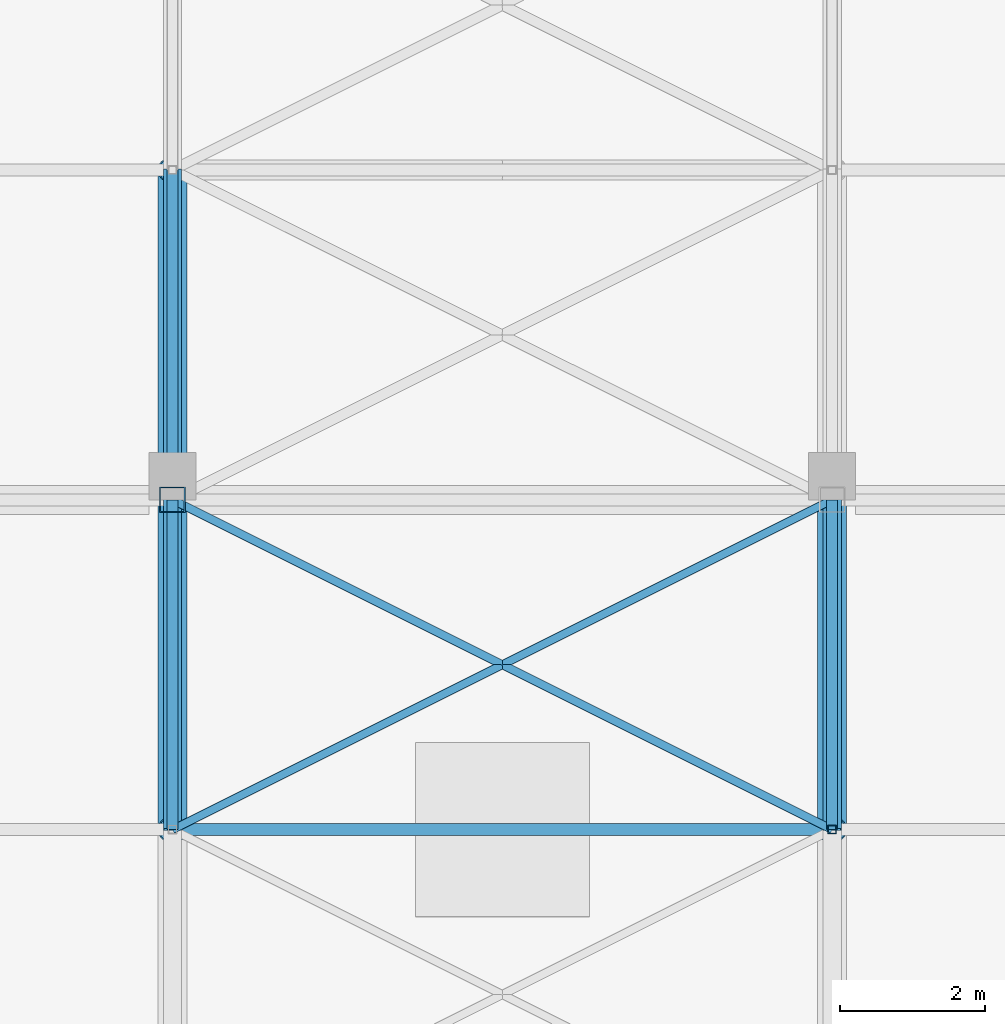
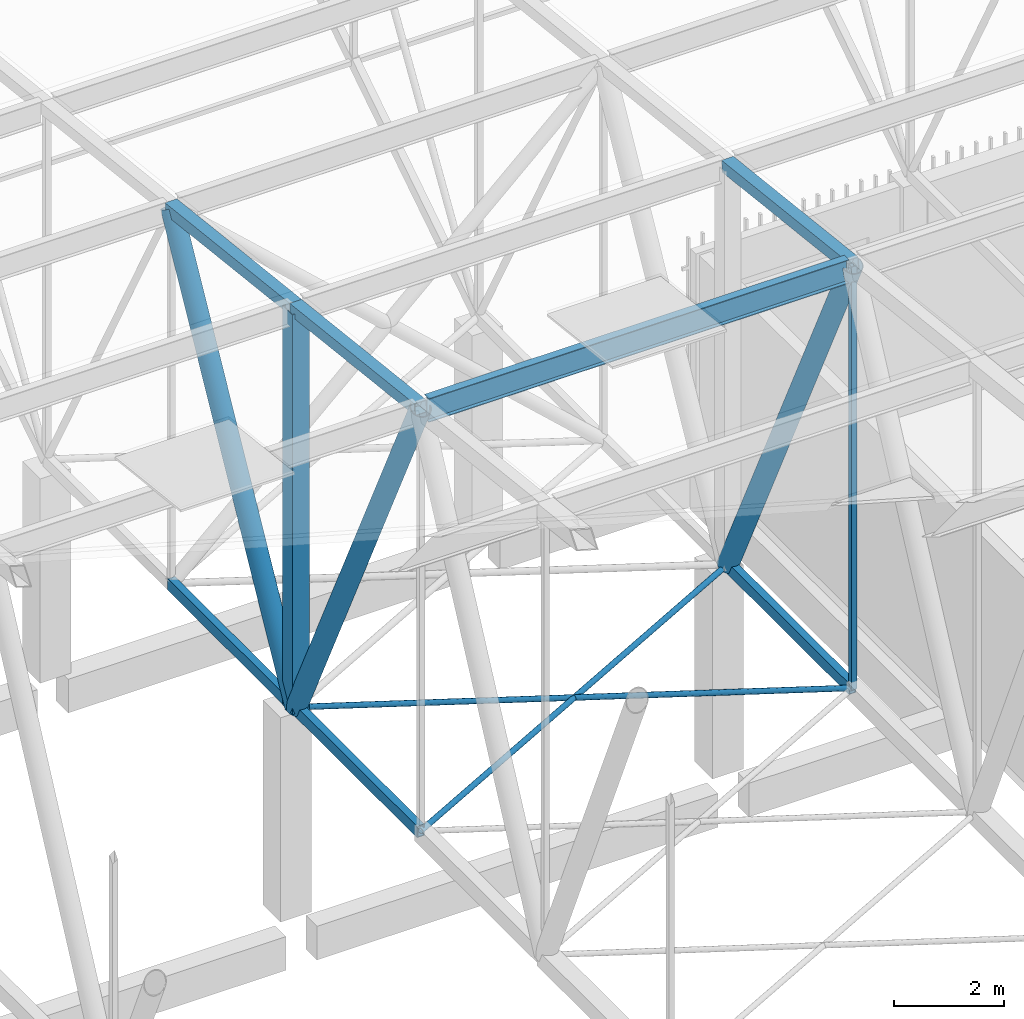
# One storey, part 312 of 500: 14 members.
"""IFC4 building model written with IfcOpenShell, lengths in metres."""

import ifcopenshell
import ifcopenshell.guid

model = None  # the IFC model being written
_history = None  # IfcOwnerHistory: only IFC2X3 demands one
_inside = {}  # id of a spatial element -> (the spatial element, [elements in it])
_under = {}  # id of a project, library or spatial element -> (it, [spatial elements below it])
_declared = {}  # id of a project -> (the project, [libraries it declares])
_typed = {}  # id of a type object -> (the type object, [elements of that type])
_made_of = {}  # id of a material, layer set ... -> (it, [elements and type objects made of it])


def new_model(schema):
    """Start an empty IFC model of exactly this schema.

    Asked for "IFC4X3", IfcOpenShell would pick the latest addendum, in which some entities
    have other attributes; the version numbers below select the first issue.
    IFC2X3 requires an IfcOwnerHistory on every rooted entity: one is made here for all.
    """
    global model, _history
    if schema == "IFC4X3":
        model = ifcopenshell.file(schema_version=(4, 3, 0, 0))
    else:
        model = ifcopenshell.file(schema=schema)
    _inside.clear()
    _under.clear()
    _declared.clear()
    _typed.clear()
    _made_of.clear()
    _history = None
    if model.schema == "IFC2X3":
        org = make("IfcOrganization", Name="unknown")
        user = make(
            "IfcPersonAndOrganization",
            ThePerson=make("IfcPerson", FamilyName="unknown"),
            TheOrganization=org,
        )
        app = make(
            "IfcApplication",
            ApplicationDeveloper=org,
            Version="unknown",
            ApplicationFullName="unknown",
            ApplicationIdentifier="unknown",
        )
        _history = make(
            "IfcOwnerHistory",
            OwningUser=user,
            OwningApplication=app,
            ChangeAction="ADDED",
            CreationDate=0,
        )
    return model


def make(cls, **values):
    """One entity of the class cls with the attributes given. An attribute that is None is left unset."""
    return model.create_entity(
        cls, **{name: value for name, value in values.items() if value is not None}
    )


def rooted(cls, **values):
    """An entity with a GlobalId (a new one), such as an element, a storey or a relation."""
    return make(cls, GlobalId=ifcopenshell.guid.new(), OwnerHistory=_history, **values)


def si_unit(unit_type, name, prefix=None):
    """IfcSIUnit, for example si_unit("LENGTHUNIT", "METRE", prefix="MILLI")."""
    return make("IfcSIUnit", UnitType=unit_type, Prefix=prefix, Name=name)


def assignment(units):
    """IfcUnitAssignment: the units of a project."""
    return None if units is None else make("IfcUnitAssignment", Units=units)


def point(xyz):
    """IfcCartesianPoint."""
    return None if xyz is None else make("IfcCartesianPoint", Coordinates=xyz)


def direction(xyz):
    """IfcDirection."""
    return None if xyz is None else make("IfcDirection", DirectionRatios=xyz)


def frame(location, z_axis=None, x_axis=None):
    """IfcAxis2Placement3D, a coordinate frame: its origin and axes. An axis left out is left unset."""
    return make(
        "IfcAxis2Placement3D",
        Location=point(location),
        Axis=direction(z_axis),
        RefDirection=direction(x_axis),
    )


def frame_2d(location, x_axis=None):
    """IfcAxis2Placement2D, a coordinate frame in the plane: its origin and x axis."""
    return make(
        "IfcAxis2Placement2D", Location=point(location), RefDirection=direction(x_axis)
    )


def origin():
    """The frame at (0, 0, 0) with its axes left unset."""
    return frame((0.0, 0.0, 0.0))


def origin_2d():
    """The frame at (0, 0) in the plane with its x axis left unset."""
    return frame_2d((0.0, 0.0))


def place(relative_to, where):
    """IfcLocalPlacement: puts the frame where relative to a parent placement (None: the world)."""
    return make(
        "IfcLocalPlacement", PlacementRelTo=relative_to, RelativePlacement=where
    )


def context(
    kind, dimensions, precision=None, world=None, true_north=None, identifier=None
):
    """IfcGeometricRepresentationContext, for example the 3D "Model" context."""
    return make(
        "IfcGeometricRepresentationContext",
        ContextIdentifier=identifier,
        ContextType=kind,
        CoordinateSpaceDimension=dimensions,
        Precision=precision,
        WorldCoordinateSystem=world,
        TrueNorth=true_north,
    )


def subcontext(parent, identifier, kind, view, scale=None):
    """IfcGeometricRepresentationSubContext, for example "Body" below "Model"."""
    return make(
        "IfcGeometricRepresentationSubContext",
        ContextIdentifier=identifier,
        ContextType=kind,
        ParentContext=parent,
        TargetScale=scale,
        TargetView=view,
    )


def project(units=None, contexts=None):
    """IfcProject with its units and contexts."""
    return rooted(
        "IfcProject",
        Name="project",
        RepresentationContexts=contexts,
        UnitsInContext=assignment(units),
    )


def spatial(cls, under=None, at=None, **own):
    """A site, building, storey or space (cls), placed at a placement, below another one or the project."""
    s = rooted(cls, ObjectPlacement=at, **own)
    if under is not None:
        _under.setdefault(under.id(), (under, []))[1].append(s)
    return s


def profile(cls, at=None, kind="AREA", **sizes):
    """A parametric profile (cls). Its sizes go by their IFC names, for example OverallWidth=200.0."""
    return make(cls, ProfileType=kind, Position=at, **sizes)


def hollow_rectangle(**sizes):
    """IfcRectangleHollowProfileDef."""
    return profile("IfcRectangleHollowProfileDef", **sizes)


def hollow_circle(**sizes):
    """IfcCircleHollowProfileDef."""
    return profile("IfcCircleHollowProfileDef", **sizes)


def i_section(**sizes):
    """IfcIShapeProfileDef."""
    return profile("IfcIShapeProfileDef", **sizes)


def extrude(swept, where, along, depth):
    """IfcExtrudedAreaSolid: the profile swept, set in the frame where, extruded along a direction by depth."""
    return make(
        "IfcExtrudedAreaSolid",
        SweptArea=swept,
        Position=where,
        ExtrudedDirection=direction(along),
        Depth=depth,
    )


def shape(context_of_items, identifier, shape_type, items):
    """IfcShapeRepresentation: the items that make up one representation, for example the "Body"."""
    return make(
        "IfcShapeRepresentation",
        ContextOfItems=context_of_items,
        RepresentationIdentifier=identifier,
        RepresentationType=shape_type,
        Items=items,
    )


def material(Name=None, Category=None):
    """IfcMaterial."""
    return make("IfcMaterial", Name=Name, Category=Category)


def material_profile(
    of_material, cross_section, Name=None, Category=None, Priority=None
):
    """IfcMaterialProfile: a cross section and its material."""
    return make(
        "IfcMaterialProfile",
        Name=Name,
        Material=of_material,
        Profile=cross_section,
        Priority=Priority,
        Category=Category,
    )


def profile_set(profiles, Name=None, composite=None):
    """IfcMaterialProfileSet."""
    return make(
        "IfcMaterialProfileSet",
        Name=Name,
        MaterialProfiles=profiles,
        CompositeProfile=composite,
    )


def made_of(thing, what):
    """Note that an element or type object is made of a material, layer set ...; save() writes the relation."""
    if what is not None:
        _made_of.setdefault(what.id(), (what, []))[1].append(thing)
    return thing


def type_object(cls, material=None, **own):
    """A type object (cls), such as IfcWallType, which elements share."""
    return made_of(rooted(cls, **own), material)


def element(
    cls,
    number,
    at=None,
    inside=None,
    cuts=None,
    type_object=None,
    material=None,
    context=None,
    identifier="Body",
    shape_type=None,
    held_by="IfcProductDefinitionShape",
    body=None,
    shapes=None,
    **own,
):
    """One element of the class cls, such as IfcWall. Its Tag is "e" and its number.

    at: its placement. inside: the storey or other place that contains it. cuts: it is an
    opening in that element (IfcRelVoidsElement). A single representation is given by context,
    identifier, shape_type and body (its items); several are given by shapes. held_by: the class
    of the entity that holds the representations. save() writes the other relations.
    """
    e = rooted(cls, Tag="e%d" % number, ObjectPlacement=at, **own)
    if body is not None:
        shapes = [shape(context, identifier, shape_type, body)]
    if shapes is not None:
        e.Representation = make(held_by, Representations=shapes)
    if inside is not None:
        _inside.setdefault(inside.id(), (inside, []))[1].append(e)
    if cuts is not None:
        rooted(
            "IfcRelVoidsElement", RelatingBuildingElement=cuts, RelatedOpeningElement=e
        )
    if type_object is not None:
        _typed.setdefault(type_object.id(), (type_object, []))[1].append(e)
    return made_of(e, material)


def aggregate(whole, parts):
    """IfcRelAggregates: a whole, such as a stair, and the parts it consists of."""
    return rooted("IfcRelAggregates", RelatingObject=whole, RelatedObjects=parts)


def save(model, path):
    """Write the relations noted so far, then the file.

    IfcRelAggregates (storeys below a building ...), IfcRelContainedInSpatialStructure (elements
    in a storey), IfcRelDefinesByType, IfcRelAssociatesMaterial and IfcRelDeclares: one each for
    every whole, place, type object, material and project.
    """
    for whole, parts in _under.values():
        aggregate(whole, parts)
    for where, things in _inside.values():
        rooted(
            "IfcRelContainedInSpatialStructure",
            RelatedElements=things,
            RelatingStructure=where,
        )
    for kind, things in _typed.values():
        rooted("IfcRelDefinesByType", RelatedObjects=things, RelatingType=kind)
    for what, things in _made_of.values():
        rooted("IfcRelAssociatesMaterial", RelatedObjects=things, RelatingMaterial=what)
    for by, libraries in _declared.values():
        rooted("IfcRelDeclares", RelatingContext=by, RelatedDefinitions=libraries)
    model.write(path)


model = new_model("IFC4")

# Units and contexts
model_context = context("Model", 3, precision=1e-05, world=origin(), true_north=direction((0.0, 1.0)))
body_context = subcontext(model_context, "Body", "Model", "MODEL_VIEW")
ifc_project = project(units=[si_unit("LENGTHUNIT", "METRE"), si_unit("AREAUNIT", "SQUARE_METRE"), si_unit("VOLUMEUNIT", "CUBIC_METRE"), si_unit("PLANEANGLEUNIT", "RADIAN"), si_unit("MASSUNIT", "GRAM", prefix="KILO")], contexts=[model_context])

# Site, building, storey
site_placement = place(None, origin())
site = spatial("IfcSite", under=ifc_project, at=site_placement, CompositionType="ELEMENT")
building_placement = place(site_placement, origin())
building = spatial("IfcBuilding", under=site, at=building_placement, Name="Shirokan Park Arena", CompositionType="ELEMENT")
storey_placement = place(building_placement, frame((0.0, 0.0, 29.1201171875)))
storey = spatial("IfcBuildingStorey", under=building, at=storey_placement, Name="L06", CompositionType="ELEMENT", Elevation=29.1201171875)

# Members
ifc_material_1 = material(Name="Steel ASTM A500 Grade C", Category="steel")
ifc_material_profile_1 = material_profile(ifc_material_1, hollow_rectangle(XDim=0.152099609375, YDim=0.25390625, WallThickness=0.015869140625, at=origin_2d()), Name="HSS254X152.4X15.9")
ifc_profile_set_1 = profile_set([ifc_material_profile_1], Name="Steel ASTM A500 Grade C")
member_type_1 = type_object("IfcMemberType", Name="Bottom chord HSS254X152.4X15.9", PredefinedType="CHORD", material=ifc_profile_set_1)
for number, where, z_axis, x_axis, name in (
    (1, (91.0, 95.550048828125, 4.677001953125), (0.0, 1.0, 0.0), (-1.0, 0.0, 0.0), "Truss T11 bottom chord 24"),
    (2, (100.10009765625, 95.550048828125, 4.677001953125), (0.0, 1.0, 0.0), (-1.0, 0.0, 0.0), "Truss T12 bottom chord 24"),
):
    element("IfcMember", number, at=place(storey_placement, frame(where, z_axis=z_axis, x_axis=x_axis)), inside=storey, type_object=member_type_1, Name=name, PredefinedType="CHORD", context=body_context, shape_type="SweptSolid", body=[
        extrude(hollow_rectangle(XDim=0.152099609375, YDim=0.25390625, WallThickness=0.015869140625, at=origin_2d()), origin(), (0.0, 0.0, 1.0), 4.550048828125),
    ])
ifc_material_profile_2 = material_profile(ifc_material_1, hollow_rectangle(XDim=0.152099609375, YDim=0.25390625, WallThickness=0.009521484375, at=origin_2d()), Name="HSS254X152.4X9.5")
ifc_profile_set_2 = profile_set([ifc_material_profile_2], Name="Steel ASTM A500 Grade C")
member_type_2 = type_object("IfcMemberType", Name="Bottom chord HSS254X152.4X9.5", PredefinedType="CHORD", material=ifc_profile_set_2)
member_1_placement = place(storey_placement, frame((91.0, 100.10009765625, 4.677001953125), z_axis=(0.0, 1.0, 0.0), x_axis=(-1.0, 0.0, 0.0)))
element("IfcMember", 3, at=member_1_placement, inside=storey, type_object=member_type_2, Name="Truss T11 bottom chord 25", PredefinedType="CHORD", context=body_context, shape_type="SweptSolid", body=[
    extrude(hollow_rectangle(XDim=0.152099609375, YDim=0.25390625, WallThickness=0.009521484375, at=origin_2d()), origin(), (0.0, 0.0, 1.0), 4.5498046875),
])
ifc_material_profile_3 = material_profile(ifc_material_1, hollow_circle(Radius=0.056884765625, WallThickness=0.006103515625, at=origin_2d()), Name="HSS114.3X6")
ifc_profile_set_3 = profile_set([ifc_material_profile_3], Name="Steel ASTM A500 Grade C")
member_type_3 = type_object("IfcMemberType", Name="Plan bracing HSS114.3X6", PredefinedType="BRACE", material=ifc_profile_set_3)
for number, where, z_axis, x_axis, name in (
    (4, (91.0, 95.550048828125, 4.677001953125), (0.894427191, 0.4472135955, 0.0), (-0.4472135955, 0.894427191, 0.0), "Plan bracing bay 11 panel 24 A"),
    (5, (100.10009765625, 95.550048828125, 4.677001953125), (-0.894427191, 0.4472135955, 0.0), (-0.4472135955, -0.894427191, 0.0), "Plan bracing bay 11 panel 24 B"),
):
    element("IfcMember", number, at=place(storey_placement, frame(where, z_axis=z_axis, x_axis=x_axis)), inside=storey, type_object=member_type_3, Name=name, PredefinedType="BRACE", context=body_context, shape_type="SweptSolid", body=[
        extrude(hollow_circle(Radius=0.056884765625, WallThickness=0.006103515625, at=origin_2d()), origin(), (0.0, 0.0, 1.0), 10.17431640625),
    ])
ifc_material_2 = material(Name="Steel ASTM A992", Category="steel")
ifc_material_profile_4 = material_profile(ifc_material_2, i_section(OverallWidth=0.166015625, OverallDepth=0.528076171875, WebThickness=0.009765625, FlangeThickness=0.013671875, at=origin_2d()), Name="W530X74")
ifc_profile_set_4 = profile_set([ifc_material_profile_4], Name="Steel ASTM A992")
member_type_4 = type_object("IfcMemberType", Name="Purlin W530X74", PredefinedType="PURLIN", material=ifc_profile_set_4)
member_2_placement = place(storey_placement, frame((91.126953125, 95.550048828125, 14.0458984375), z_axis=(1.0, 0.0, 0.0), x_axis=(0.0, 1.0, 0.0)))
element("IfcMember", 6, at=member_2_placement, inside=storey, type_object=member_type_4, Name="Purlin 24 bay 11", PredefinedType="PURLIN", context=body_context, shape_type="SweptSolid", body=[
    extrude(i_section(OverallWidth=0.166015625, OverallDepth=0.528076171875, WebThickness=0.009765625, FlangeThickness=0.013671875, at=origin_2d()), origin(), (0.0, 0.0, 1.0), 8.845947265625),
])
ifc_material_profile_5 = material_profile(ifc_material_1, hollow_rectangle(XDim=0.25390625, YDim=0.25390625, WallThickness=0.009521484375, at=origin_2d()), Name="HSS254X254X9.5")
ifc_profile_set_5 = profile_set([ifc_material_profile_5], Name="Steel ASTM A500 Grade C")
member_type_5 = type_object("IfcMemberType", Name="Top chord HSS254X254X9.5", PredefinedType="CHORD", material=ifc_profile_set_5)
member_3_placement = place(storey_placement, frame((91.0, 95.550048828125, 14.101318359375), z_axis=(0.0, 0.993532328996, -0.113549598152), x_axis=(-1.0, 0.0, 0.0)))
element("IfcMember", 7, at=member_3_placement, inside=storey, type_object=member_type_5, Name="Truss T11 top chord 24", PredefinedType="CHORD", context=body_context, shape_type="SweptSolid", body=[
    extrude(hollow_rectangle(XDim=0.25390625, YDim=0.25390625, WallThickness=0.009521484375, at=origin_2d()), origin(), (0.0, 0.0, 1.0), 4.57958984375),
])
member_4_placement = place(storey_placement, frame((91.0, 100.10009765625, 13.581298828125), z_axis=(0.0, 0.993531641592, -0.11355561261), x_axis=(-1.0, 0.0, 0.0)))
element("IfcMember", 8, at=member_4_placement, inside=storey, type_object=member_type_5, Name="Truss T11 top chord 25", PredefinedType="CHORD", context=body_context, shape_type="SweptSolid", body=[
    extrude(hollow_rectangle(XDim=0.25390625, YDim=0.25390625, WallThickness=0.009521484375, at=origin_2d()), origin(), (0.0, 0.0, 1.0), 4.579345703125),
])
member_5_placement = place(storey_placement, frame((100.10009765625, 95.550048828125, 14.101318359375), z_axis=(0.0, 0.993532328996, -0.113549598152), x_axis=(-1.0, 0.0, 0.0)))
element("IfcMember", 9, at=member_5_placement, inside=storey, type_object=member_type_5, Name="Truss T12 top chord 24", PredefinedType="CHORD", context=body_context, shape_type="SweptSolid", body=[
    extrude(hollow_rectangle(XDim=0.25390625, YDim=0.25390625, WallThickness=0.009521484375, at=origin_2d()), origin(), (0.0, 0.0, 1.0), 4.57958984375),
])
ifc_material_profile_6 = material_profile(ifc_material_1, hollow_circle(Radius=0.202880859375, WallThickness=0.015869140625, at=origin_2d()), Name="HSS406.4X15.9")
ifc_profile_set_6 = profile_set([ifc_material_profile_6], Name="Steel ASTM A500 Grade C")
member_type_6 = type_object("IfcMemberType", Name="Truss diagonal HSS406.4X15.9", PredefinedType="BRACE", material=ifc_profile_set_6)
member_6_placement = place(storey_placement, frame((91.0, 95.550048828125, 14.101318359375), z_axis=(0.0, 0.434778423415, -0.900537463148), x_axis=(-1.0, 0.0, 0.0)))
element("IfcMember", 10, at=member_6_placement, inside=storey, type_object=member_type_6, Name="Truss T11 diagonal 24", PredefinedType="BRACE", context=body_context, shape_type="SweptSolid", body=[
    extrude(hollow_circle(Radius=0.202880859375, WallThickness=0.015869140625, at=origin_2d()), origin(), (0.0, 0.0, 1.0), 10.46533203125),
])
member_7_placement = place(storey_placement, frame((91.0, 100.10009765625, 4.677001953125), z_axis=(0.0, 0.476957435823, 0.878926393058), x_axis=(-1.0, 0.0, 0.0)))
element("IfcMember", 11, at=member_7_placement, inside=storey, type_object=member_type_6, Name="Truss T11 diagonal 25", PredefinedType="BRACE", context=body_context, shape_type="SweptSolid", body=[
    extrude(hollow_circle(Radius=0.202880859375, WallThickness=0.015869140625, at=origin_2d()), origin(), (0.0, 0.0, 1.0), 9.539306640625),
])
member_8_placement = place(storey_placement, frame((100.10009765625, 95.550048828125, 14.101318359375), z_axis=(0.0, 0.434778423415, -0.900537463148), x_axis=(-1.0, 0.0, 0.0)))
element("IfcMember", 12, at=member_8_placement, inside=storey, type_object=member_type_6, Name="Truss T12 diagonal 24", PredefinedType="BRACE", context=body_context, shape_type="SweptSolid", body=[
    extrude(hollow_circle(Radius=0.202880859375, WallThickness=0.015869140625, at=origin_2d()), origin(), (0.0, 0.0, 1.0), 10.46533203125),
])
ifc_material_profile_7 = material_profile(ifc_material_1, hollow_rectangle(XDim=0.114013671875, YDim=0.114013671875, WallThickness=0.00634765625, at=origin_2d()), Name="HSS114.3X114.3X6.4")
ifc_profile_set_7 = profile_set([ifc_material_profile_7], Name="Steel ASTM A500 Grade C")
member_type_7 = type_object("IfcMemberType", Name="Truss post HSS114.3X114.3X6.4", PredefinedType="POST", material=ifc_profile_set_7)
member_9_placement = place(storey_placement, frame((100.10009765625, 95.550048828125, 4.677001953125), z_axis=(0.0, 0.0, 1.0), x_axis=(1.0, 0.0, 0.0)))
element("IfcMember", 13, at=member_9_placement, inside=storey, type_object=member_type_7, Name="Truss T12 post 24", PredefinedType="POST", context=body_context, shape_type="SweptSolid", body=[
    extrude(hollow_rectangle(XDim=0.114013671875, YDim=0.114013671875, WallThickness=0.00634765625, at=origin_2d()), origin(), (0.0, 0.0, 1.0), 9.42431640625),
])
ifc_material_profile_8 = material_profile(ifc_material_1, hollow_rectangle(XDim=0.35595703125, YDim=0.35595703125, WallThickness=0.015869140625, at=origin_2d()), Name="HSS355.6X355.6X15.9")
ifc_profile_set_8 = profile_set([ifc_material_profile_8], Name="Steel ASTM A500 Grade C")
member_type_8 = type_object("IfcMemberType", Name="Truss post HSS355.6X355.6X15.9", PredefinedType="POST", material=ifc_profile_set_8)
member_10_placement = place(storey_placement, frame((91.0, 100.10009765625, 4.677001953125), z_axis=(0.0, 0.0, 1.0), x_axis=(1.0, 0.0, 0.0)))
element("IfcMember", 14, at=member_10_placement, inside=storey, type_object=member_type_8, Name="Truss T11 post 25", PredefinedType="POST", context=body_context, shape_type="SweptSolid", body=[
    extrude(hollow_rectangle(XDim=0.35595703125, YDim=0.35595703125, WallThickness=0.015869140625, at=origin_2d()), origin(), (0.0, 0.0, 1.0), 8.904296875),
])

save(model, "model.ifc")
